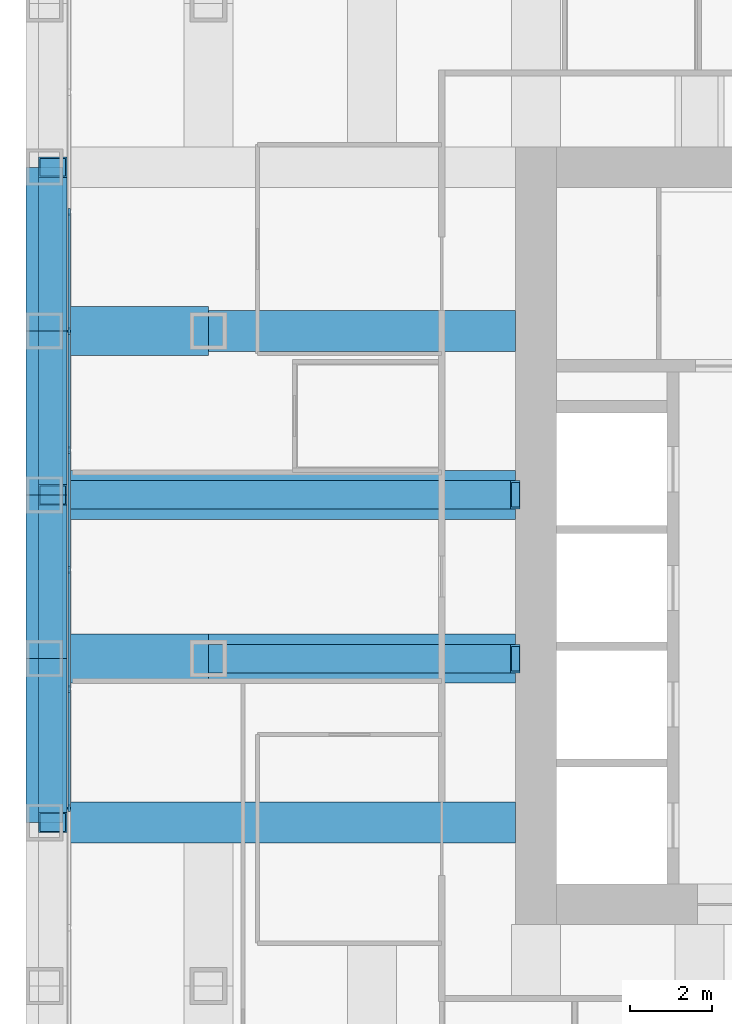
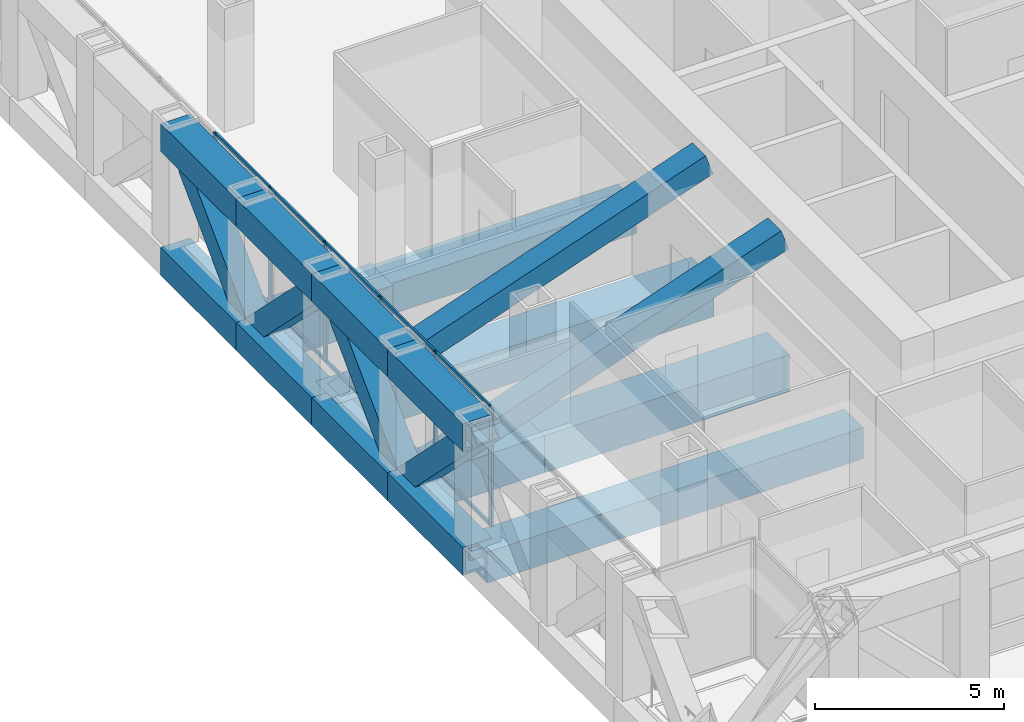
# One storey, part 4 of 16: 22 members, 14 beams, 1 element without a shape of its own.
"""IFC4 building model written with IfcOpenShell, lengths in metres."""

from ifc_helpers import new_model, si_unit, direction, frame, origin, origin_2d, place, context, subcontext, project, spatial, rectangle, hollow_rectangle, extrude, material, material_profile, profile_set, type_object, element, aggregate, save


model = new_model("IFC4")

# Units and contexts
model_context = context("Model", 3, precision=1e-05, world=origin(), true_north=direction((0.0, 1.0)))
body_context = subcontext(model_context, "Body", "Model", "MODEL_VIEW")
ifc_project = project(units=[si_unit("LENGTHUNIT", "METRE"), si_unit("AREAUNIT", "SQUARE_METRE"), si_unit("VOLUMEUNIT", "CUBIC_METRE"), si_unit("PLANEANGLEUNIT", "RADIAN"), si_unit("MASSUNIT", "GRAM", prefix="KILO")], contexts=[model_context])

# Site, building, storey
site_placement = place(None, origin())
site = spatial("IfcSite", under=ifc_project, at=site_placement, CompositionType="ELEMENT")
building_placement = place(site_placement, origin())
building = spatial("IfcBuilding", under=site, at=building_placement, Name="Rimbunsela Tower", CompositionType="ELEMENT")
storey_placement = place(building_placement, frame((0.0, 0.0, 171.800048828125)))
storey = spatial("IfcBuildingStorey", under=building, at=storey_placement, Name="L41", CompositionType="ELEMENT", Elevation=171.800048828125)

# Beams
ifc_material_1 = material(Name="Steel BJ 55 (fy 410 MPa)", Category="steel")
ifc_material_profile_1 = material_profile(ifc_material_1, hollow_rectangle(XDim=1.0, YDim=1.0, WallThickness=0.10009765625, at=origin_2d()), Name="BOX 1000x1000x100")
ifc_profile_set_1 = profile_set([ifc_material_profile_1], Name="Steel BJ 55 (fy 410 MPa)")
beam_type_1 = type_object("IfcBeamType", Name="Beam BOX 1000x1000x100", PredefinedType="BEAM", material=ifc_profile_set_1)
beam_1_placement = place(storey_placement, frame((6.0, 20.0, -0.650146484375), z_axis=(1.0, 0.0, 0.0), x_axis=(0.0, 1.0, 0.0)))
element("IfcBeam", 1, at=beam_1_placement, inside=storey, type_object=beam_type_1, Name="Beam B3 L41", PredefinedType="BEAM", context=body_context, shape_type="SweptSolid", body=[
    extrude(hollow_rectangle(XDim=1.0, YDim=1.0, WallThickness=0.10009765625, at=origin_2d()), origin(), (0.0, 0.0, 1.0), 11.5),
])
beam_2_placement = place(storey_placement, frame((10.0, 32.0, -0.650146484375), z_axis=(1.0, 0.0, 0.0), x_axis=(0.0, 1.0, 0.0)))
element("IfcBeam", 2, at=beam_2_placement, inside=storey, type_object=beam_type_1, Name="Beam B3 L41", PredefinedType="BEAM", context=body_context, shape_type="SweptSolid", body=[
    extrude(hollow_rectangle(XDim=1.0, YDim=1.0, WallThickness=0.10009765625, at=origin_2d()), origin(), (0.0, 0.0, 1.0), 7.5),
])
ifc_material_2 = material(Name="Steel BJ 55 (fy 410 MPa)", Category="steel")
ifc_material_profile_2 = material_profile(ifc_material_2, hollow_rectangle(XDim=1.199951171875, YDim=1.199951171875, WallThickness=0.10009765625, at=origin_2d()), Name="BOX 1200x1200x100")
ifc_profile_set_2 = profile_set([ifc_material_profile_2], Name="Steel BJ 55 (fy 410 MPa)")
beam_type_2 = type_object("IfcBeamType", Name="Beam BOX 1200x1200x100", PredefinedType="BEAM", material=ifc_profile_set_2)
beam_3_placement = place(storey_placement, frame((6.0, 28.0, -0.75), z_axis=(1.0, 0.0, 0.0), x_axis=(0.0, 1.0, 0.0)))
element("IfcBeam", 3, at=beam_3_placement, inside=storey, type_object=beam_type_2, Name="Beam B5 L41", PredefinedType="BEAM", context=body_context, shape_type="SweptSolid", body=[
    extrude(hollow_rectangle(XDim=1.199951171875, YDim=1.199951171875, WallThickness=0.10009765625, at=origin_2d()), origin(), (0.0, 0.0, 1.0), 11.5),
])
beam_4_placement = place(storey_placement, frame((10.0, 24.0, -0.75), z_axis=(1.0, 0.0, 0.0), x_axis=(0.0, 1.0, 0.0)))
element("IfcBeam", 4, at=beam_4_placement, inside=storey, type_object=beam_type_2, Name="Beam B5 L41", PredefinedType="BEAM", context=body_context, shape_type="SweptSolid", body=[
    extrude(hollow_rectangle(XDim=1.199951171875, YDim=1.199951171875, WallThickness=0.10009765625, at=origin_2d()), origin(), (0.0, 0.0, 1.0), 7.5),
])
ifc_material_3 = material(Name="Steel BJ 55 (fy 410 MPa)", Category="steel")
ifc_material_profile_3 = material_profile(ifc_material_3, hollow_rectangle(XDim=1.199951171875, YDim=1.199951171875, WallThickness=0.125, at=origin_2d()), Name="BOX 1200x1200x125")
ifc_profile_set_3 = profile_set([ifc_material_profile_3], Name="Steel BJ 55 (fy 410 MPa)")
beam_type_3 = type_object("IfcBeamType", Name="Beam BOX 1200x1200x125", PredefinedType="BEAM", material=ifc_profile_set_3)
for number, where, z_axis, x_axis, name in (
    (5, (6.0, 24.0, -0.75), (1.0, 0.0, 0.0), (0.0, 1.0, 0.0), "Beam B4 L41"),
    (6, (6.0, 32.0, -0.75), (1.0, 0.0, 0.0), (0.0, 1.0, 0.0), "Beam B4 L41"),
):
    element("IfcBeam", number, at=place(storey_placement, frame(where, z_axis=z_axis, x_axis=x_axis)), inside=storey, type_object=beam_type_3, Name=name, PredefinedType="BEAM", context=body_context, shape_type="SweptSolid", body=[
        extrude(hollow_rectangle(XDim=1.199951171875, YDim=1.199951171875, WallThickness=0.125, at=origin_2d()), origin(), (0.0, 0.0, 1.0), 4.0),
    ])

# Curtain wall, members
ifc_material_4 = material(Name="Aluminium curtain wall", Category="aluminium")
curtain_wall_type = type_object("IfcCurtainWallType", Name="Exoskeleton storey infill", PredefinedType="USERDEFINED", material=ifc_material_4)
curtain_wall_placement = place(storey_placement, origin())
curtain_wall = element("IfcCurtainWall", 7, at=curtain_wall_placement, inside=storey, type_object=curtain_wall_type, Name="Exoskeleton storey infill L41", ObjectType="EXOSKELETON STOREY INFILL", PredefinedType="USERDEFINED")
ifc_material_5 = material(Name="Aluminium mullion", Category="aluminium")
ifc_material_profile_4 = material_profile(ifc_material_5, rectangle(XDim=0.06005859375, YDim=0.159912109375, at=origin_2d()), Name="Mullion 60x160")
ifc_profile_set_4 = profile_set([ifc_material_profile_4], Name="Aluminium mullion")
member_type_1 = type_object("IfcMemberType", Name="Curtain wall mullion 60x160", PredefinedType="MULLION", material=ifc_profile_set_4)
member_1_placement = place(storey_placement, frame((6.60009765625, 34.914306640625, 0.0), z_axis=(0.0, 0.0, 1.0), x_axis=(1.0, 0.0, 0.0)))
member_1 = element("IfcMember", 8, at=member_1_placement, type_object=member_type_1, Name="CW2 mullion 7", PredefinedType="MULLION", context=body_context, shape_type="SweptSolid", body=[
    extrude(rectangle(XDim=0.06005859375, YDim=0.159912109375, at=origin_2d()), origin(), (0.0, 0.0, 1.0), 3.849853515625),
])
member_2_placement = place(storey_placement, frame((6.60009765625, 32.0, 0.0), z_axis=(0.0, 0.0, 1.0), x_axis=(1.0, 0.0, 0.0)))
member_2 = element("IfcMember", 9, at=member_2_placement, type_object=member_type_1, Name="CW2 mullion 8", PredefinedType="MULLION", context=body_context, shape_type="SweptSolid", body=[
    extrude(rectangle(XDim=0.06005859375, YDim=0.159912109375, at=origin_2d()), origin(), (0.0, 0.0, 1.0), 3.849853515625),
])
member_3_placement = place(storey_placement, frame((6.60009765625, 29.085693359375, 0.0), z_axis=(0.0, 0.0, 1.0), x_axis=(1.0, 0.0, 0.0)))
member_3 = element("IfcMember", 10, at=member_3_placement, type_object=member_type_1, Name="CW2 mullion 9", PredefinedType="MULLION", context=body_context, shape_type="SweptSolid", body=[
    extrude(rectangle(XDim=0.06005859375, YDim=0.159912109375, at=origin_2d()), origin(), (0.0, 0.0, 1.0), 3.849853515625),
])
member_4_placement = place(storey_placement, frame((6.60009765625, 26.17138671875, 0.0), z_axis=(0.0, 0.0, 1.0), x_axis=(1.0, 0.0, 0.0)))
member_4 = element("IfcMember", 11, at=member_4_placement, type_object=member_type_1, Name="CW2 mullion 10", PredefinedType="MULLION", context=body_context, shape_type="SweptSolid", body=[
    extrude(rectangle(XDim=0.06005859375, YDim=0.159912109375, at=origin_2d()), origin(), (0.0, 0.0, 1.0), 3.849853515625),
])
member_5_placement = place(storey_placement, frame((6.60009765625, 23.257080078125, 0.0), z_axis=(0.0, 0.0, 1.0), x_axis=(1.0, 0.0, 0.0)))
member_5 = element("IfcMember", 12, at=member_5_placement, type_object=member_type_1, Name="CW2 mullion 11", PredefinedType="MULLION", context=body_context, shape_type="SweptSolid", body=[
    extrude(rectangle(XDim=0.06005859375, YDim=0.159912109375, at=origin_2d()), origin(), (0.0, 0.0, 1.0), 3.849853515625),
])
member_6_placement = place(storey_placement, frame((6.60009765625, 20.3427734375, 0.0), z_axis=(0.0, 0.0, 1.0), x_axis=(1.0, 0.0, 0.0)))
member_6 = element("IfcMember", 13, at=member_6_placement, type_object=member_type_1, Name="CW2 mullion 12", PredefinedType="MULLION", context=body_context, shape_type="SweptSolid", body=[
    extrude(rectangle(XDim=0.06005859375, YDim=0.159912109375, at=origin_2d()), origin(), (0.0, 0.0, 1.0), 3.849853515625),
])
ifc_material_6 = material(Name="Aluminium transom", Category="aluminium")
ifc_material_profile_5 = material_profile(ifc_material_6, rectangle(XDim=0.06005859375, YDim=0.1201171875, at=origin_2d()), Name="Transom 60x120")
ifc_profile_set_5 = profile_set([ifc_material_profile_5], Name="Aluminium transom")
member_type_2 = type_object("IfcMemberType", Name="Curtain wall transom 60x120", PredefinedType="USERDEFINED", material=ifc_profile_set_5)
member_7_placement = place(storey_placement, frame((6.60009765625, 34.88427734375, 0.030029296875), z_axis=(0.0, -1.0, 0.0), x_axis=(1.0, 0.0, 0.0)))
member_7 = element("IfcMember", 14, at=member_7_placement, type_object=member_type_2, Name="CW2 transom 7.1", ObjectType="TRANSOM", PredefinedType="USERDEFINED", context=body_context, shape_type="SweptSolid", body=[
    extrude(rectangle(XDim=0.06005859375, YDim=0.1201171875, at=origin_2d()), origin(), (0.0, 0.0, 1.0), 2.854248046875),
])
member_8_placement = place(storey_placement, frame((6.60009765625, 34.88427734375, 3.820068359375), z_axis=(0.0, -1.0, 0.0), x_axis=(1.0, 0.0, 0.0)))
member_8 = element("IfcMember", 15, at=member_8_placement, type_object=member_type_2, Name="CW2 transom 7.2", ObjectType="TRANSOM", PredefinedType="USERDEFINED", context=body_context, shape_type="SweptSolid", body=[
    extrude(rectangle(XDim=0.06005859375, YDim=0.1201171875, at=origin_2d()), origin(), (0.0, 0.0, 1.0), 2.854248046875),
])
member_9_placement = place(storey_placement, frame((6.60009765625, 31.969970703125, 0.030029296875), z_axis=(0.0, -1.0, 0.0), x_axis=(1.0, 0.0, 0.0)))
member_9 = element("IfcMember", 16, at=member_9_placement, type_object=member_type_2, Name="CW2 transom 8.1", ObjectType="TRANSOM", PredefinedType="USERDEFINED", context=body_context, shape_type="SweptSolid", body=[
    extrude(rectangle(XDim=0.06005859375, YDim=0.1201171875, at=origin_2d()), origin(), (0.0, 0.0, 1.0), 2.854248046875),
])
member_10_placement = place(storey_placement, frame((6.60009765625, 31.969970703125, 3.820068359375), z_axis=(0.0, -1.0, 0.0), x_axis=(1.0, 0.0, 0.0)))
member_10 = element("IfcMember", 17, at=member_10_placement, type_object=member_type_2, Name="CW2 transom 8.2", ObjectType="TRANSOM", PredefinedType="USERDEFINED", context=body_context, shape_type="SweptSolid", body=[
    extrude(rectangle(XDim=0.06005859375, YDim=0.1201171875, at=origin_2d()), origin(), (0.0, 0.0, 1.0), 2.854248046875),
])
member_11_placement = place(storey_placement, frame((6.60009765625, 29.0556640625, 0.030029296875), z_axis=(0.0, -1.0, 0.0), x_axis=(1.0, 0.0, 0.0)))
member_11 = element("IfcMember", 18, at=member_11_placement, type_object=member_type_2, Name="CW2 transom 9.1", ObjectType="TRANSOM", PredefinedType="USERDEFINED", context=body_context, shape_type="SweptSolid", body=[
    extrude(rectangle(XDim=0.06005859375, YDim=0.1201171875, at=origin_2d()), origin(), (0.0, 0.0, 1.0), 2.854248046875),
])
member_12_placement = place(storey_placement, frame((6.60009765625, 29.0556640625, 3.820068359375), z_axis=(0.0, -1.0, 0.0), x_axis=(1.0, 0.0, 0.0)))
member_12 = element("IfcMember", 19, at=member_12_placement, type_object=member_type_2, Name="CW2 transom 9.2", ObjectType="TRANSOM", PredefinedType="USERDEFINED", context=body_context, shape_type="SweptSolid", body=[
    extrude(rectangle(XDim=0.06005859375, YDim=0.1201171875, at=origin_2d()), origin(), (0.0, 0.0, 1.0), 2.854248046875),
])
member_13_placement = place(storey_placement, frame((6.60009765625, 26.141357421875, 0.030029296875), z_axis=(0.0, -1.0, 0.0), x_axis=(1.0, 0.0, 0.0)))
member_13 = element("IfcMember", 20, at=member_13_placement, type_object=member_type_2, Name="CW2 transom 10.1", ObjectType="TRANSOM", PredefinedType="USERDEFINED", context=body_context, shape_type="SweptSolid", body=[
    extrude(rectangle(XDim=0.06005859375, YDim=0.1201171875, at=origin_2d()), origin(), (0.0, 0.0, 1.0), 2.854248046875),
])
member_14_placement = place(storey_placement, frame((6.60009765625, 26.141357421875, 3.820068359375), z_axis=(0.0, -1.0, 0.0), x_axis=(1.0, 0.0, 0.0)))
member_14 = element("IfcMember", 21, at=member_14_placement, type_object=member_type_2, Name="CW2 transom 10.2", ObjectType="TRANSOM", PredefinedType="USERDEFINED", context=body_context, shape_type="SweptSolid", body=[
    extrude(rectangle(XDim=0.06005859375, YDim=0.1201171875, at=origin_2d()), origin(), (0.0, 0.0, 1.0), 2.854248046875),
])
member_15_placement = place(storey_placement, frame((6.60009765625, 23.22705078125, 0.030029296875), z_axis=(0.0, -1.0, 0.0), x_axis=(1.0, 0.0, 0.0)))
member_15 = element("IfcMember", 22, at=member_15_placement, type_object=member_type_2, Name="CW2 transom 11.1", ObjectType="TRANSOM", PredefinedType="USERDEFINED", context=body_context, shape_type="SweptSolid", body=[
    extrude(rectangle(XDim=0.06005859375, YDim=0.1201171875, at=origin_2d()), origin(), (0.0, 0.0, 1.0), 2.854248046875),
])
member_16_placement = place(storey_placement, frame((6.60009765625, 23.22705078125, 3.820068359375), z_axis=(0.0, -1.0, 0.0), x_axis=(1.0, 0.0, 0.0)))
member_16 = element("IfcMember", 23, at=member_16_placement, type_object=member_type_2, Name="CW2 transom 11.2", ObjectType="TRANSOM", PredefinedType="USERDEFINED", context=body_context, shape_type="SweptSolid", body=[
    extrude(rectangle(XDim=0.06005859375, YDim=0.1201171875, at=origin_2d()), origin(), (0.0, 0.0, 1.0), 2.854248046875),
])
aggregate(curtain_wall, [member_1, member_2, member_3, member_4, member_5, member_6, member_7, member_8, member_9, member_10, member_11, member_12, member_13, member_14, member_15, member_16])

# Members
ifc_material_7 = material(Name="Steel BJ 55 (fy 410 MPa)", Category="steel")
ifc_material_profile_6 = material_profile(ifc_material_7, hollow_rectangle(XDim=0.699951171875, YDim=0.699951171875, WallThickness=0.050048828125, at=origin_2d()), Name="BOX 700x700x50")
ifc_profile_set_6 = profile_set([ifc_material_profile_6], Name="Steel BJ 55 (fy 410 MPa)")
member_type_3 = type_object("IfcMemberType", Name="Outrigger brace BOX 700x700x50", PredefinedType="BRACE", material=ifc_profile_set_6)
for number, where, z_axis, x_axis, name in (
    (24, (6.0, 28.0, -0.60009765625), (0.944496796706, 0.0, 0.328520624941), (0.0, 1.0, 0.0), "Outrigger brace OB2 W L41"),
    (25, (6.0, 24.0, -0.60009765625), (0.944496796706, 0.0, 0.328520624941), (0.0, 1.0, 0.0), "Outrigger brace OB2 W L41"),
):
    element("IfcMember", number, at=place(storey_placement, frame(where, z_axis=z_axis, x_axis=x_axis)), inside=storey, type_object=member_type_3, Name=name, PredefinedType="BRACE", context=body_context, shape_type="SweptSolid", body=[
        extrude(hollow_rectangle(XDim=0.699951171875, YDim=0.699951171875, WallThickness=0.050048828125, at=origin_2d()), origin(), (0.0, 0.0, 1.0), 12.17578125),
    ])

# Beams
ifc_material_8 = material(Name="Steel BJ 55 (fy 410 MPa)", Category="steel")
ifc_material_profile_7 = material_profile(ifc_material_8, hollow_rectangle(XDim=0.89990234375, YDim=0.89990234375, WallThickness=0.080078125, at=origin_2d()), Name="BOX 900x900x80")
ifc_profile_set_7 = profile_set([ifc_material_profile_7], Name="Steel BJ 55 (fy 410 MPa)")
beam_type_4 = type_object("IfcBeamType", Name="Truss chord BOX 900x900x80", PredefinedType="USERDEFINED", material=ifc_profile_set_7)
for number, where, z_axis, x_axis, name in (
    (26, (6.0, 20.0, 3.39990234375), (0.0, 1.0, 0.0), (-1.0, 0.0, 0.0), "Truss top chord TC3 W face L41"),
    (27, (6.0, 24.0, 3.39990234375), (0.0, 1.0, 0.0), (-1.0, 0.0, 0.0), "Truss top chord TC3 W face L41"),
    (28, (6.0, 28.0, 3.39990234375), (0.0, 1.0, 0.0), (-1.0, 0.0, 0.0), "Truss top chord TC3 W face L41"),
    (29, (6.0, 32.0, 3.39990234375), (0.0, 1.0, 0.0), (-1.0, 0.0, 0.0), "Truss top chord TC3 W face L41"),
    (30, (6.0, 20.0, -0.60009765625), (0.0, 1.0, 0.0), (-1.0, 0.0, 0.0), "Truss bottom chord TC3 W face L41"),
    (31, (6.0, 24.0, -0.60009765625), (0.0, 1.0, 0.0), (-1.0, 0.0, 0.0), "Truss bottom chord TC3 W face L41"),
    (32, (6.0, 28.0, -0.60009765625), (0.0, 1.0, 0.0), (-1.0, 0.0, 0.0), "Truss bottom chord TC3 W face L41"),
    (33, (6.0, 32.0, -0.60009765625), (0.0, 1.0, 0.0), (-1.0, 0.0, 0.0), "Truss bottom chord TC3 W face L41"),
):
    element("IfcBeam", number, at=place(storey_placement, frame(where, z_axis=z_axis, x_axis=x_axis)), inside=storey, type_object=beam_type_4, Name=name, ObjectType="TRUSS CHORD", PredefinedType="USERDEFINED", context=body_context, shape_type="SweptSolid", body=[
        extrude(hollow_rectangle(XDim=0.89990234375, YDim=0.89990234375, WallThickness=0.080078125, at=origin_2d()), origin(), (0.0, 0.0, 1.0), 4.0),
    ])

# Members
ifc_material_9 = material(Name="Steel BJ 55 (fy 410 MPa)", Category="steel")
ifc_material_profile_8 = material_profile(ifc_material_9, hollow_rectangle(XDim=0.699951171875, YDim=0.699951171875, WallThickness=0.0400390625, at=origin_2d()), Name="BOX 700x700x40")
ifc_profile_set_8 = profile_set([ifc_material_profile_8], Name="Steel BJ 55 (fy 410 MPa)")
member_type_4 = type_object("IfcMemberType", Name="Truss diagonal BOX 700x700x40", PredefinedType="BRACE", material=ifc_profile_set_8)
for number, where, z_axis, x_axis, name in (
    (34, (6.199951171875, 20.0, 3.39990234375), (0.0, 0.707106781187, -0.707106781187), (-1.0, 0.0, 0.0), "Truss diagonal TD3 W face L41"),
    (35, (6.199951171875, 24.0, -0.60009765625), (0.0, 0.707106781187, 0.707106781187), (-1.0, 0.0, 0.0), "Truss diagonal TD3 W face L41"),
    (36, (6.199951171875, 28.0, 3.39990234375), (0.0, 0.707106781187, -0.707106781187), (-1.0, 0.0, 0.0), "Truss diagonal TD3 W face L41"),
    (37, (6.199951171875, 32.0, -0.60009765625), (0.0, 0.707106781187, 0.707106781187), (-1.0, 0.0, 0.0), "Truss diagonal TD3 W face L41"),
):
    element("IfcMember", number, at=place(storey_placement, frame(where, z_axis=z_axis, x_axis=x_axis)), inside=storey, type_object=member_type_4, Name=name, PredefinedType="BRACE", context=body_context, shape_type="SweptSolid", body=[
        extrude(hollow_rectangle(XDim=0.699951171875, YDim=0.699951171875, WallThickness=0.0400390625, at=origin_2d()), origin(), (0.0, 0.0, 1.0), 5.65673828125),
    ])

save(model, "model.ifc")
